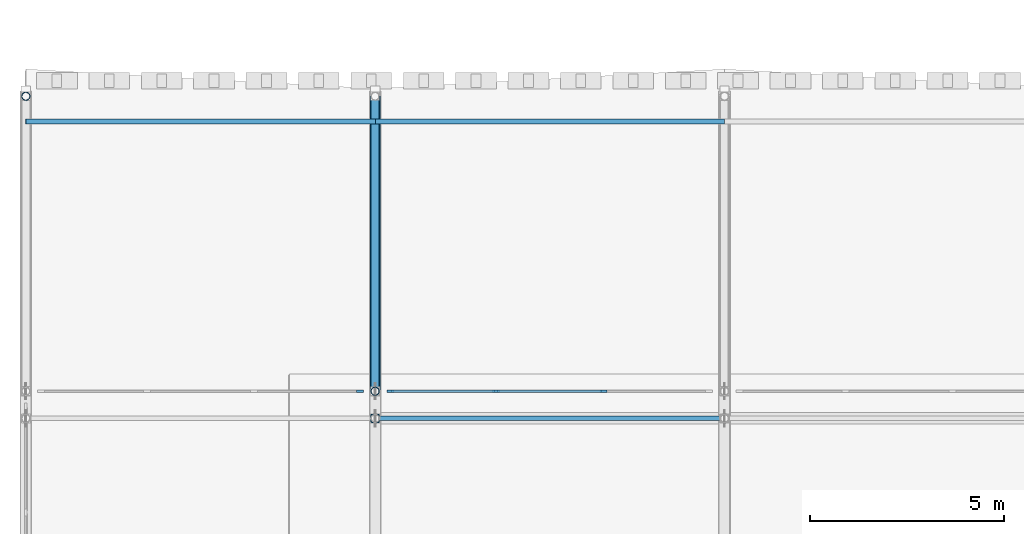
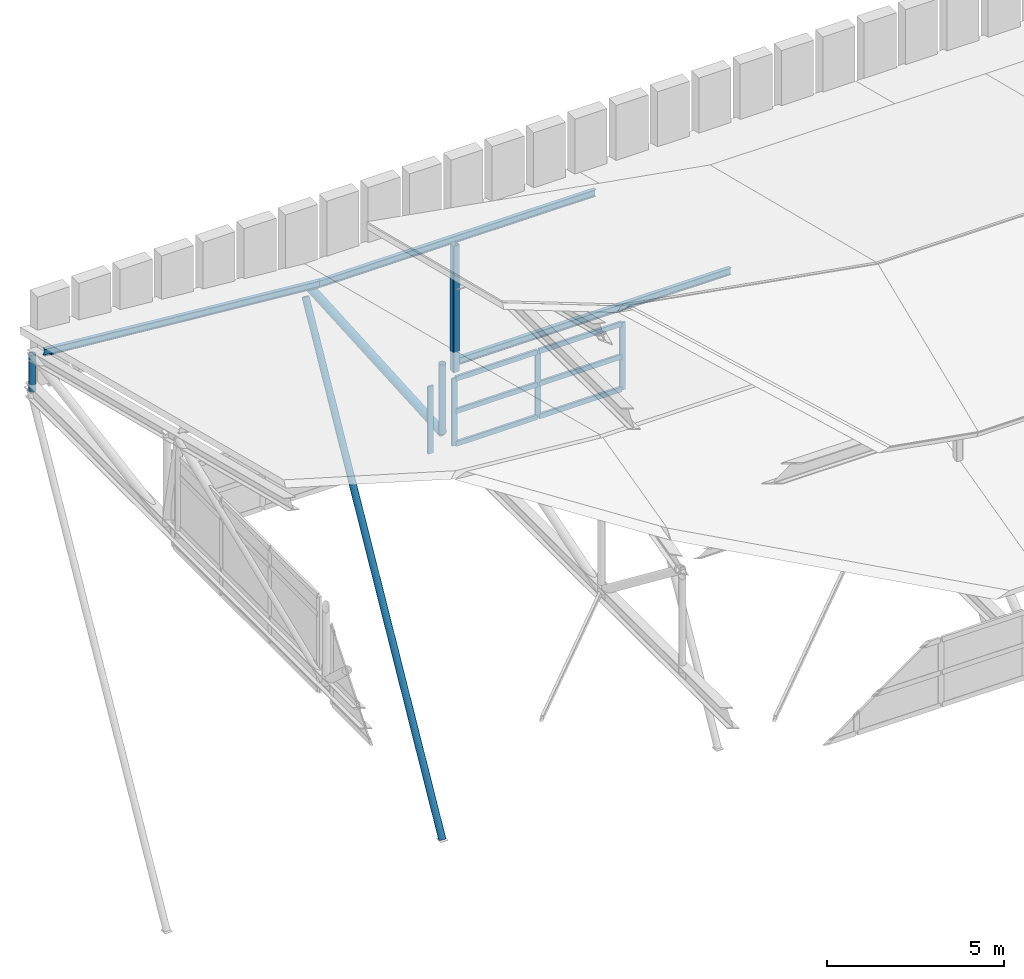
# One storey, part 7 of 42: 18 members, 2 elements without a shape of their own.
"""IFC4 building model written with IfcOpenShell, lengths in metres."""

from ifc_helpers import new_model, si_unit, direction, frame, origin, origin_2d, place, context, subcontext, project, spatial, rectangle, hollow_rectangle, hollow_circle, i_section, extrude, material, material_profile, profile_set, type_object, element, aggregate, save


model = new_model("IFC4")

# Units and contexts
model_context = context("Model", 3, precision=1e-05, world=origin(), true_north=direction((0.0, 1.0)))
body_context = subcontext(model_context, "Body", "Model", "MODEL_VIEW")
ifc_project = project(units=[si_unit("LENGTHUNIT", "METRE"), si_unit("AREAUNIT", "SQUARE_METRE"), si_unit("VOLUMEUNIT", "CUBIC_METRE"), si_unit("PLANEANGLEUNIT", "RADIAN"), si_unit("MASSUNIT", "GRAM", prefix="KILO")], contexts=[model_context])

# Site, building, storey
site_placement = place(None, origin())
site = spatial("IfcSite", under=ifc_project, at=site_placement, CompositionType="ELEMENT")
building_placement = place(site_placement, origin())
building = spatial("IfcBuilding", under=site, at=building_placement, Name="Bozkorgan Art Gallery", CompositionType="ELEMENT")
storey_placement = place(building_placement, frame((0.0, 0.0, 28.800048828125)))
storey = spatial("IfcBuildingStorey", under=building, at=storey_placement, Name="RF", CompositionType="ELEMENT", Elevation=28.800048828125)

# Curtain wall, member
ifc_material_1 = material(Name="Anodised Bronze Aluminium", Category="aluminium")
curtain_wall_type = type_object("IfcCurtainWallType", Name="CW-CW-28", PredefinedType="NOTDEFINED", material=ifc_material_1)
curtain_wall_1_placement = place(storey_placement, origin())
curtain_wall_1 = element("IfcCurtainWall", 1, at=curtain_wall_1_placement, inside=storey, type_object=curtain_wall_type, Name="RF unitised curtain wall CW-RF-V1-N-2", PredefinedType="NOTDEFINED")
ifc_material_profile_1 = material_profile(ifc_material_1, rectangle(XDim=0.06494140625, YDim=0.179931640625, at=origin_2d()), Name="ALU MULLION 65x180")
ifc_profile_set_1 = profile_set([ifc_material_profile_1], Name="Anodised Bronze Aluminium")
member_type_1 = type_object("IfcMemberType", Name="CWM-01", PredefinedType="MULLION", material=ifc_profile_set_1)
member_1_placement = place(storey_placement, frame((10.607421875, 20.0, -0.324951171875), z_axis=(0.0, 0.0, 1.0), x_axis=(0.0, 1.0, 0.0)))
member_1 = element("IfcMember", 2, at=member_1_placement, type_object=member_type_1, Name="CW-28 mullion 4", PredefinedType="MULLION", context=body_context, shape_type="SweptSolid", body=[
    extrude(rectangle(XDim=0.06494140625, YDim=0.179931640625, at=origin_2d()), origin(), (0.0, 0.0, 1.0), 2.324951171875),
])
aggregate(curtain_wall_1, [member_1])

# Curtain wall, members
curtain_wall_2_placement = place(storey_placement, origin())
curtain_wall_2 = element("IfcCurtainWall", 3, at=curtain_wall_2_placement, inside=storey, type_object=curtain_wall_type, Name="RF unitised curtain wall CW-RF-V1-N-11", PredefinedType="NOTDEFINED")
member_2_placement = place(storey_placement, frame((11.392578125, 20.0, -0.324951171875), z_axis=(0.0, 0.0, 1.0), x_axis=(0.0, 1.0, 0.0)))
member_2 = element("IfcMember", 4, at=member_2_placement, type_object=member_type_1, Name="CW-28 mullion 1", PredefinedType="MULLION", context=body_context, shape_type="SweptSolid", body=[
    extrude(rectangle(XDim=0.06494140625, YDim=0.179931640625, at=origin_2d()), origin(), (0.0, 0.0, 1.0), 2.324951171875),
])
member_3_placement = place(storey_placement, frame((14.1201171875, 20.0, -0.324951171875), z_axis=(0.0, 0.0, 1.0), x_axis=(0.0, 1.0, 0.0)))
member_3 = element("IfcMember", 5, at=member_3_placement, type_object=member_type_1, Name="CW-28 mullion 2", PredefinedType="MULLION", context=body_context, shape_type="SweptSolid", body=[
    extrude(rectangle(XDim=0.06494140625, YDim=0.179931640625, at=origin_2d()), origin(), (0.0, 0.0, 1.0), 2.324951171875),
])
member_4_placement = place(storey_placement, frame((16.8798828125, 20.0, -0.324951171875), z_axis=(0.0, 0.0, 1.0), x_axis=(0.0, 1.0, 0.0)))
member_4 = element("IfcMember", 6, at=member_4_placement, type_object=member_type_1, Name="CW-28 mullion 3", PredefinedType="MULLION", context=body_context, shape_type="SweptSolid", body=[
    extrude(rectangle(XDim=0.06494140625, YDim=0.179931640625, at=origin_2d()), origin(), (0.0, 0.0, 1.0), 2.324951171875),
])
ifc_material_profile_2 = material_profile(ifc_material_1, rectangle(XDim=0.074951171875, YDim=0.169921875, at=origin_2d()), Name="ALU TRANSOM 75x170")
ifc_profile_set_2 = profile_set([ifc_material_profile_2], Name="Anodised Bronze Aluminium")
member_type_2 = type_object("IfcMemberType", Name="CWT-02", PredefinedType="USERDEFINED", material=ifc_profile_set_2)
member_5_placement = place(storey_placement, frame((11.425048828125, 20.0, -0.28759765625), z_axis=(1.0, 0.0, 0.0), x_axis=(0.0, 1.0, 0.0)))
member_5 = element("IfcMember", 7, at=member_5_placement, type_object=member_type_2, Name="CW-28 transom 1.1", ObjectType="TRANSOM", PredefinedType="USERDEFINED", context=body_context, shape_type="SweptSolid", body=[
    extrude(rectangle(XDim=0.074951171875, YDim=0.169921875, at=origin_2d()), origin(), (0.0, 0.0, 1.0), 2.662353515625),
])
member_6_placement = place(storey_placement, frame((11.425048828125, 20.0, 0.837890625), z_axis=(1.0, 0.0, 0.0), x_axis=(0.0, 1.0, 0.0)))
member_6 = element("IfcMember", 8, at=member_6_placement, type_object=member_type_2, Name="CW-28 transom 1.2", ObjectType="TRANSOM", PredefinedType="USERDEFINED", context=body_context, shape_type="SweptSolid", body=[
    extrude(rectangle(XDim=0.074951171875, YDim=0.169921875, at=origin_2d()), origin(), (0.0, 0.0, 1.0), 2.662353515625),
])
member_7_placement = place(storey_placement, frame((11.425048828125, 20.0, 1.96240234375), z_axis=(1.0, 0.0, 0.0), x_axis=(0.0, 1.0, 0.0)))
member_7 = element("IfcMember", 9, at=member_7_placement, type_object=member_type_2, Name="CW-28 transom 1.3", ObjectType="TRANSOM", PredefinedType="USERDEFINED", context=body_context, shape_type="SweptSolid", body=[
    extrude(rectangle(XDim=0.074951171875, YDim=0.169921875, at=origin_2d()), origin(), (0.0, 0.0, 1.0), 2.662353515625),
])
member_8_placement = place(storey_placement, frame((14.152587890625, 20.0, -0.28759765625), z_axis=(1.0, 0.0, 0.0), x_axis=(0.0, 1.0, 0.0)))
member_8 = element("IfcMember", 10, at=member_8_placement, type_object=member_type_2, Name="CW-28 transom 2.1", ObjectType="TRANSOM", PredefinedType="USERDEFINED", context=body_context, shape_type="SweptSolid", body=[
    extrude(rectangle(XDim=0.074951171875, YDim=0.169921875, at=origin_2d()), origin(), (0.0, 0.0, 1.0), 2.69482421875),
])
member_9_placement = place(storey_placement, frame((14.152587890625, 20.0, 0.837890625), z_axis=(1.0, 0.0, 0.0), x_axis=(0.0, 1.0, 0.0)))
member_9 = element("IfcMember", 11, at=member_9_placement, type_object=member_type_2, Name="CW-28 transom 2.2", ObjectType="TRANSOM", PredefinedType="USERDEFINED", context=body_context, shape_type="SweptSolid", body=[
    extrude(rectangle(XDim=0.074951171875, YDim=0.169921875, at=origin_2d()), origin(), (0.0, 0.0, 1.0), 2.69482421875),
])
member_10_placement = place(storey_placement, frame((14.152587890625, 20.0, 1.96240234375), z_axis=(1.0, 0.0, 0.0), x_axis=(0.0, 1.0, 0.0)))
member_10 = element("IfcMember", 12, at=member_10_placement, type_object=member_type_2, Name="CW-28 transom 2.3", ObjectType="TRANSOM", PredefinedType="USERDEFINED", context=body_context, shape_type="SweptSolid", body=[
    extrude(rectangle(XDim=0.074951171875, YDim=0.169921875, at=origin_2d()), origin(), (0.0, 0.0, 1.0), 2.69482421875),
])
aggregate(curtain_wall_2, [member_2, member_3, member_4, member_5, member_6, member_7, member_8, member_9, member_10])

# Members
ifc_material_2 = material(Name="Steel S355J2", Category="steel")
ifc_material_profile_3 = material_profile(ifc_material_2, hollow_rectangle(XDim=0.219970703125, YDim=0.219970703125, WallThickness=0.012451171875, InnerFilletRadius=0.018798828125, OuterFilletRadius=0.03125, at=origin_2d()), Name="SHS 220x220x12.5")
ifc_profile_set_3 = profile_set([ifc_material_profile_3], Name="Steel S355J2")
member_type_3 = type_object("IfcMemberType", Name="MEMBER-CP-34", PredefinedType="POST", material=ifc_profile_set_3)
member_11_placement = place(storey_placement, frame((11.0, 19.300048828125, 2.826904296875), z_axis=(0.0, 0.0, 1.0), x_axis=(1.0, 0.0, 0.0)))
element("IfcMember", 13, at=member_11_placement, inside=storey, type_object=member_type_3, Name="V1 upper clerestory truss post 1N", PredefinedType="POST", context=body_context, shape_type="SweptSolid", body=[
    extrude(hollow_rectangle(XDim=0.219970703125, YDim=0.219970703125, WallThickness=0.012451171875, InnerFilletRadius=0.018798828125, OuterFilletRadius=0.03125, at=origin_2d()), origin(), (0.0, 0.0, 1.0), 4.363525390625),
])
ifc_material_profile_4 = material_profile(ifc_material_2, hollow_circle(Radius=0.109619140625, WallThickness=0.010009765625, at=origin_2d()), Name="CHS 219.1x10")
ifc_profile_set_4 = profile_set([ifc_material_profile_4], Name="Steel S355J2")
member_type_4 = type_object("IfcMemberType", Name="MEMBER-ES-44", PredefinedType="BRACE", material=ifc_profile_set_4)
member_12_placement = place(storey_placement, frame((11.0, 20.0, -13.800048828125), z_axis=(0.0, 0.48251516305, 0.875887616893), x_axis=(-1.0, 0.0, 0.0)))
element("IfcMember", 14, at=member_12_placement, inside=storey, type_object=member_type_4, Name="ROOF-V1-MAIN north swept-eave diagonal tree-strut 2", PredefinedType="BRACE", context=body_context, shape_type="SweptSolid", body=[
    extrude(hollow_circle(Radius=0.109619140625, WallThickness=0.010009765625, at=origin_2d()), origin(), (0.0, 0.0, 1.0), 16.041015625),
])
ifc_material_profile_5 = material_profile(ifc_material_2, i_section(OverallWidth=0.1201171875, OverallDepth=0.239990234375, WebThickness=0.006103515625, FlangeThickness=0.009765625, FilletRadius=0.014892578125, at=origin_2d()), Name="IPE 240")
ifc_profile_set_5 = profile_set([ifc_material_profile_5], Name="Steel S355J2")
member_type_5 = type_object("IfcMemberType", Name="MEMBER-PR-34", PredefinedType="PURLIN", material=ifc_profile_set_5)
member_13_placement = place(storey_placement, frame((2.0, 26.949951171875, 1.96484375), z_axis=(0.996276805455, 0.0, -0.086212104205), x_axis=(0.0, 1.0, 0.0)))
element("IfcMember", 15, at=member_13_placement, inside=storey, type_object=member_type_5, Name="ROOF-V1-MAIN north eave purlin 1", PredefinedType="PURLIN", context=body_context, shape_type="SweptSolid", body=[
    extrude(i_section(OverallWidth=0.1201171875, OverallDepth=0.239990234375, WebThickness=0.006103515625, FlangeThickness=0.009765625, FilletRadius=0.014892578125, at=origin_2d()), origin(), (0.0, 0.0, 1.0), 9.03369140625),
])
for number, where, z_axis, x_axis, name in (
    (16, (11.0, 19.300048828125, 3.1220703125), (1.0, 0.0, 0.0), (0.0, 1.0, 0.0), "ROOF-V1-MAIN roof purlin 2N"),
    (17, (11.0, 26.949951171875, 1.18603515625), (1.0, 0.0, 0.0), (0.0, 1.0, 0.0), "ROOF-V1-MAIN north eave purlin 2"),
):
    element("IfcMember", number, at=place(storey_placement, frame(where, z_axis=z_axis, x_axis=x_axis)), inside=storey, type_object=member_type_5, Name=name, PredefinedType="PURLIN", context=body_context, shape_type="SweptSolid", body=[
        extrude(i_section(OverallWidth=0.1201171875, OverallDepth=0.239990234375, WebThickness=0.006103515625, FlangeThickness=0.009765625, FilletRadius=0.014892578125, at=origin_2d()), origin(), (0.0, 0.0, 1.0), 9.0),
    ])
ifc_material_profile_6 = material_profile(ifc_material_2, hollow_circle(Radius=0.109619140625, WallThickness=0.010009765625, at=origin_2d()), Name="CHS 219.1x10")
ifc_profile_set_6 = profile_set([ifc_material_profile_6], Name="Steel S355J2")
member_type_6 = type_object("IfcMemberType", Name="MEMBER-TP-78", PredefinedType="POST", material=ifc_profile_set_6)
member_14_placement = place(storey_placement, frame((2.0, 27.60009765625, 0.25), z_axis=(0.0, 0.0, 1.0), x_axis=(1.0, 0.0, 0.0)))
element("IfcMember", 18, at=member_14_placement, inside=storey, type_object=member_type_6, Name="ROOF-V1-MAIN roof truss 1 post 5", PredefinedType="POST", context=body_context, shape_type="SweptSolid", body=[
    extrude(hollow_circle(Radius=0.109619140625, WallThickness=0.010009765625, at=origin_2d()), origin(), (0.0, 0.0, 1.0), 1.255615234375),
])
member_15_placement = place(storey_placement, frame((11.0, 20.0, 0.25), z_axis=(0.0, 0.0, 1.0), x_axis=(1.0, 0.0, 0.0)))
element("IfcMember", 19, at=member_15_placement, inside=storey, type_object=member_type_6, Name="ROOF-V1-MAIN roof truss 2 post 4", PredefinedType="POST", context=body_context, shape_type="SweptSolid", body=[
    extrude(hollow_circle(Radius=0.109619140625, WallThickness=0.010009765625, at=origin_2d()), origin(), (0.0, 0.0, 1.0), 2.39990234375),
])
ifc_material_profile_7 = material_profile(ifc_material_2, hollow_circle(Radius=0.136474609375, WallThickness=0.012451171875, at=origin_2d()), Name="CHS 273x12.5")
ifc_profile_set_7 = profile_set([ifc_material_profile_7], Name="Steel S355J2")
member_type_7 = type_object("IfcMemberType", Name="MEMBER-TW-28", PredefinedType="BRACE", material=ifc_profile_set_7)
member_16_placement = place(storey_placement, frame((11.0, 20.0, 0.25), z_axis=(0.0, 0.998039833362, 0.062581874549), x_axis=(-1.0, 0.0, 0.0)))
element("IfcMember", 20, at=member_16_placement, inside=storey, type_object=member_type_7, Name="ROOF-V1-MAIN roof truss 2 diagonal 5", PredefinedType="BRACE", context=body_context, shape_type="SweptSolid", body=[
    extrude(hollow_circle(Radius=0.136474609375, WallThickness=0.012451171875, at=origin_2d()), origin(), (0.0, 0.0, 1.0), 7.614990234375),
])

save(model, "model.ifc")
